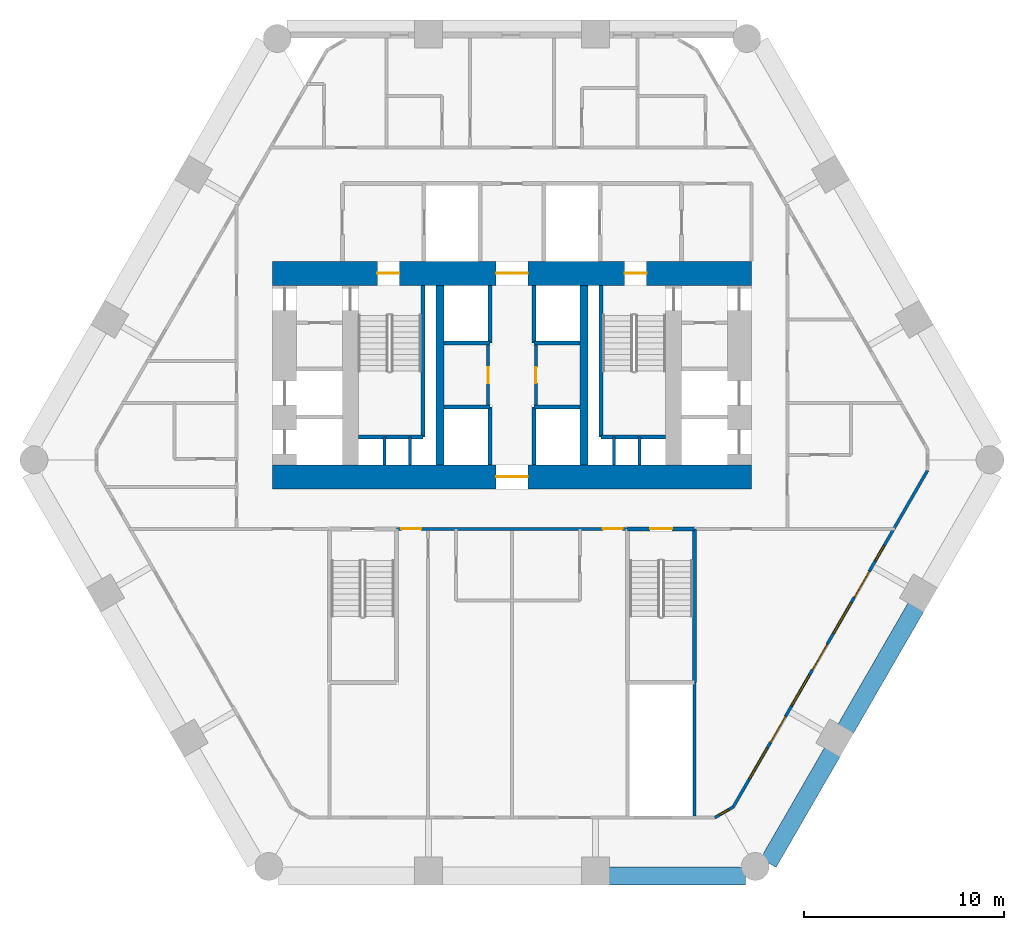
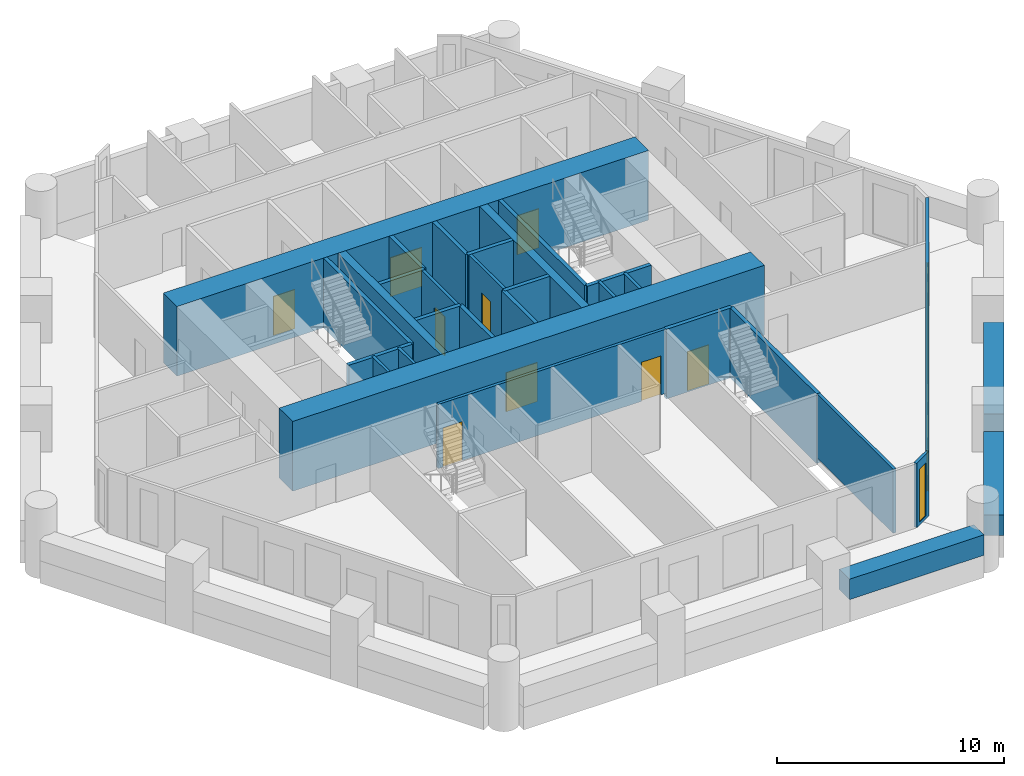
# One storey, part 4 of 8: 31 walls, 12 doors, 5 windows, 17 openings.
"""IFC4 building model written with IfcOpenShell, lengths in metres."""

from ifc_helpers import new_model, si_unit, direction, frame, frame_2d, origin, place, context, subcontext, project, spatial, rectangle, extrude, material, layer, layer_set, type_object, element, fill, save


model = new_model("IFC4")

# Units and contexts
model_context = context("Model", 3, precision=1e-05, world=origin(), true_north=direction((0.0, 1.0)))
body_context = subcontext(model_context, "Body", "Model", "MODEL_VIEW")
ifc_project = project(units=[si_unit("LENGTHUNIT", "METRE"), si_unit("AREAUNIT", "SQUARE_METRE"), si_unit("VOLUMEUNIT", "CUBIC_METRE"), si_unit("PLANEANGLEUNIT", "RADIAN"), si_unit("MASSUNIT", "GRAM", prefix="KILO")], contexts=[model_context])

# Site, building, storey
site_placement = place(None, origin())
site = spatial("IfcSite", under=ifc_project, at=site_placement, CompositionType="ELEMENT")
building_placement = place(site_placement, origin())
building = spatial("IfcBuilding", under=site, at=building_placement, Name="Ostrander Bayou Hotel Tower", CompositionType="ELEMENT")
storey_placement = place(building_placement, frame((0.0, 0.0, 39.25)))
storey = spatial("IfcBuildingStorey", under=building, at=storey_placement, Name="L09", CompositionType="ELEMENT", Elevation=39.25)

# Wall, opening, door
ifc_material_1 = material(Name="Concrete f'c 70 MPa", Category="concrete")
ifc_layer_1 = layer(ifc_material_1, 1.199951171875)
ifc_layer_set_1 = layer_set([ifc_layer_1], Name="CW1 core wall 1200 mm f'c 70 MPa")
wall_type_1 = type_object("IfcWallType", Name="CW1 core wall 1200 mm f'c 70 MPa", PredefinedType="SHEAR", material=ifc_layer_set_1)
wall_1_placement = place(storey_placement, frame((-12.0, -1.10009765625, -0.300048828125), z_axis=(0.0, 0.0, 1.0), x_axis=(1.0, 0.0, 0.0)))
wall_1 = element("IfcWall", 1, at=wall_1_placement, inside=storey, type_object=wall_type_1, Name="CW1 L09 S", PredefinedType="SHEAR", context=body_context, shape_type="SweptSolid", body=[
    extrude(rectangle(XDim=24.0, YDim=1.199951171875, at=frame_2d((12.0, 0.0))), origin(), (0.0, 0.0, 1.0), 3.75),
])
opening_1_placement = place(wall_1_placement, frame((11.199951171875, 0.0, 0.0)))
opening_1 = element("IfcOpeningElement", 2, at=opening_1_placement, cuts=wall_1, Name="Opening T09-001", PredefinedType="OPENING", context=body_context, shape_type="SweptSolid", body=[
    extrude(rectangle(XDim=1.60009765625, YDim=2.10009765625, at=frame_2d((0.800048828125, 1.050048828125))), frame((0.0, 0.60009765625, 0.0), z_axis=(0.0, -1.0, 0.0), x_axis=(1.0, 0.0, 0.0)), (0.0, 0.0, 1.0), 1.199951171875),
])
ifc_material_2 = material(Name="Timber door leaf", Category="wood")
door_type_1 = type_object("IfcDoorType", Name="D13 double door 1600 x 2100 mm, 1 hour", OperationType="SINGLE_SWING_LEFT", PredefinedType="DOOR", material=ifc_material_2)
door_1_placement = place(opening_1_placement, origin())
door_1 = element("IfcDoor", 3, at=door_1_placement, inside=storey, type_object=door_type_1, Name="dr:L09:001", OperationType="DOUBLE_DOOR_SINGLE_SWING", OverallHeight=2.10009765625, OverallWidth=1.60009765625, PredefinedType="DOOR", context=body_context, shape_type="SweptSolid", body=[
    extrude(rectangle(XDim=1.60009765625, YDim=2.10009765625, at=frame_2d((0.800048828125, 1.050048828125))), frame((0.0, 0.02490234375, 0.0), z_axis=(0.0, -1.0, 0.0), x_axis=(1.0, 0.0, 0.0)), (0.0, 0.0, 1.0), 0.050048828125),
])
fill(opening_1, door_1)

# Wall, openings, doors
wall_2_placement = place(storey_placement, frame((-12.0, 9.10009765625, -0.300048828125), z_axis=(0.0, 0.0, 1.0), x_axis=(1.0, 0.0, 0.0)))
wall_2 = element("IfcWall", 4, at=wall_2_placement, inside=storey, type_object=wall_type_1, Name="CW1 L09 N", PredefinedType="SHEAR", context=body_context, shape_type="SweptSolid", body=[
    extrude(rectangle(XDim=24.0, YDim=1.199951171875, at=frame_2d((12.0, 0.0))), origin(), (0.0, 0.0, 1.0), 3.75),
])
opening_2_placement = place(wall_2_placement, frame((11.199951171875, 0.0, 0.0)))
opening_2 = element("IfcOpeningElement", 5, at=opening_2_placement, cuts=wall_2, Name="Opening T09-002", PredefinedType="OPENING", context=body_context, shape_type="SweptSolid", body=[
    extrude(rectangle(XDim=1.60009765625, YDim=2.10009765625, at=frame_2d((0.800048828125, 1.050048828125))), frame((0.0, 0.60009765625, 0.0), z_axis=(0.0, -1.0, 0.0), x_axis=(1.0, 0.0, 0.0)), (0.0, 0.0, 1.0), 1.199951171875),
])
opening_3_placement = place(wall_2_placement, frame((5.25, 0.0, 0.0)))
opening_3 = element("IfcOpeningElement", 6, at=opening_3_placement, cuts=wall_2, Name="Opening T09-003", PredefinedType="OPENING", context=body_context, shape_type="SweptSolid", body=[
    extrude(rectangle(XDim=1.10009765625, YDim=2.10009765625, at=frame_2d((0.550048828125, 1.050048828125))), frame((0.0, 0.60009765625, 0.0), z_axis=(0.0, -1.0, 0.0), x_axis=(1.0, 0.0, 0.0)), (0.0, 0.0, 1.0), 1.199951171875),
])
opening_4_placement = place(wall_2_placement, frame((17.64990234375, 0.0, 0.0)))
opening_4 = element("IfcOpeningElement", 7, at=opening_4_placement, cuts=wall_2, Name="Opening T09-005", PredefinedType="OPENING", context=body_context, shape_type="SweptSolid", body=[
    extrude(rectangle(XDim=1.10009765625, YDim=2.10009765625, at=frame_2d((0.550048828125, 1.050048828125))), frame((0.0, 0.60009765625, 0.0), z_axis=(0.0, -1.0, 0.0), x_axis=(1.0, 0.0, 0.0)), (0.0, 0.0, 1.0), 1.199951171875),
])
door_2_placement = place(opening_2_placement, origin())
door_2 = element("IfcDoor", 8, at=door_2_placement, inside=storey, type_object=door_type_1, Name="dr:L09:002", OperationType="DOUBLE_DOOR_SINGLE_SWING", OverallHeight=2.10009765625, OverallWidth=1.60009765625, PredefinedType="DOOR", context=body_context, shape_type="SweptSolid", body=[
    extrude(rectangle(XDim=1.60009765625, YDim=2.10009765625, at=frame_2d((0.800048828125, 1.050048828125))), frame((0.0, 0.02490234375, 0.0), z_axis=(0.0, -1.0, 0.0), x_axis=(1.0, 0.0, 0.0)), (0.0, 0.0, 1.0), 0.050048828125),
])
fill(opening_2, door_2)
ifc_material_3 = material(Name="Timber door leaf", Category="wood")
door_type_2 = type_object("IfcDoorType", Name="D5 stair door 1100 x 2100 mm, 90 minute", OperationType="SINGLE_SWING_LEFT", PredefinedType="DOOR", material=ifc_material_3)
door_3_placement = place(opening_3_placement, origin())
door_3 = element("IfcDoor", 9, at=door_3_placement, inside=storey, type_object=door_type_2, Name="dr:L09:003", OperationType="SINGLE_SWING_LEFT", OverallHeight=2.10009765625, OverallWidth=1.10009765625, PredefinedType="DOOR", context=body_context, shape_type="SweptSolid", body=[
    extrude(rectangle(XDim=1.10009765625, YDim=2.10009765625, at=frame_2d((0.550048828125, 1.050048828125))), frame((0.0, 0.02490234375, 0.0), z_axis=(0.0, -1.0, 0.0), x_axis=(1.0, 0.0, 0.0)), (0.0, 0.0, 1.0), 0.050048828125),
])
fill(opening_3, door_3)
door_4_placement = place(opening_4_placement, origin())
door_4 = element("IfcDoor", 10, at=door_4_placement, inside=storey, type_object=door_type_2, Name="dr:L09:005", OperationType="SINGLE_SWING_RIGHT", OverallHeight=2.10009765625, OverallWidth=1.10009765625, PredefinedType="DOOR", context=body_context, shape_type="SweptSolid", body=[
    extrude(rectangle(XDim=1.10009765625, YDim=2.10009765625, at=frame_2d((0.550048828125, 1.050048828125))), frame((0.0, 0.02490234375, 0.0), z_axis=(0.0, -1.0, 0.0), x_axis=(1.0, 0.0, 0.0)), (0.0, 0.0, 1.0), 0.050048828125),
])
fill(opening_4, door_4)

# Walls
ifc_material_4 = material(Name="Concrete f'c 70 MPa", Category="concrete")
ifc_layer_2 = layer(ifc_material_4, 0.39990234375)
ifc_layer_set_2 = layer_set([ifc_layer_2], Name="CW3 core bank wall 400 mm f'c 70 MPa")
wall_type_2 = type_object("IfcWallType", Name="CW3 core bank wall 400 mm f'c 70 MPa", PredefinedType="SHEAR", material=ifc_layer_set_2)
for number, where, z_axis, x_axis, name in (
    (11, (-3.60009765625, -0.5, -0.300048828125), (0.0, 0.0, 1.0), (0.0, 1.0, 0.0), "CW3 L09 CW"),
    (12, (3.60009765625, -0.5, -0.300048828125), (0.0, 0.0, 1.0), (0.0, 1.0, 0.0), "CW3 L09 CE"),
):
    element("IfcWall", number, at=place(storey_placement, frame(where, z_axis=z_axis, x_axis=x_axis)), inside=storey, type_object=wall_type_2, Name=name, PredefinedType="SHEAR", context=body_context, shape_type="SweptSolid", body=[
        extrude(rectangle(XDim=9.0, YDim=0.39990234375, at=frame_2d((4.5, 0.0))), origin(), (0.0, 0.0, 1.0), 3.75),
    ])

# Wall, openings, doors, windows
ifc_material_5 = material(Name="Aluminium framed insulated wall", Category="aluminium")
ifc_layer_3 = layer(ifc_material_5, 0.14990234375)
ifc_layer_set_3 = layer_set([ifc_layer_3], Name="GW1 glass-line wall 150 mm")
wall_type_3 = type_object("IfcWallType", Name="GW1 glass-line wall 150 mm", PredefinedType="SOLIDWALL", material=ifc_layer_set_3)
wall_3_placement = place(storey_placement, frame((11.0869140625, -17.64697265625, 0.0), z_axis=(0.0, 0.0, 1.0), x_axis=(0.499999841607, 0.866025495233, 0.0)))
wall_3 = element("IfcWall", 13, at=wall_3_placement, inside=storey, type_object=wall_type_3, Name="GW1 L09 SE 1", PredefinedType="SOLIDWALL", context=body_context, shape_type="SweptSolid", body=[
    extrude(rectangle(XDim=19.478515625, YDim=0.14990234375, at=frame_2d((9.7392578125, 0.0))), origin(), (0.0, 0.0, 1.0), 3.449951171875),
])
opening_5_placement = place(wall_3_placement, frame((1.639404296875, 0.0, 0.14990234375)))
opening_5 = element("IfcOpeningElement", 14, at=opening_5_placement, cuts=wall_3, Name="Opening W1", PredefinedType="OPENING", context=body_context, shape_type="SweptSolid", body=[
    extrude(rectangle(XDim=1.800048828125, YDim=2.85009765625, at=frame_2d((0.89990234375, 1.425048828125))), frame((0.0, 0.074951171875, 0.0), z_axis=(0.0, -1.0, 0.0), x_axis=(1.0, 0.0, 0.0)), (0.0, 0.0, 1.0), 0.14990234375),
])
opening_6_placement = place(wall_3_placement, frame((3.7392578125, 0.0, 0.0)))
opening_6 = element("IfcOpeningElement", 15, at=opening_6_placement, cuts=wall_3, Name="Opening T09-805", PredefinedType="OPENING", context=body_context, shape_type="SweptSolid", body=[
    extrude(rectangle(XDim=1.5, YDim=2.39990234375, at=frame_2d((0.75, 1.199951171875))), frame((0.0, 0.074951171875, 0.0), z_axis=(0.0, -1.0, 0.0), x_axis=(1.0, 0.0, 0.0)), (0.0, 0.0, 1.0), 0.14990234375),
])
opening_7_placement = place(wall_3_placement, frame((5.83935546875, 0.0, 0.14990234375)))
opening_7 = element("IfcOpeningElement", 16, at=opening_7_placement, cuts=wall_3, Name="Opening W1", PredefinedType="OPENING", context=body_context, shape_type="SweptSolid", body=[
    extrude(rectangle(XDim=1.800048828125, YDim=2.85009765625, at=frame_2d((0.89990234375, 1.425048828125))), frame((0.0, 0.074951171875, 0.0), z_axis=(0.0, -1.0, 0.0), x_axis=(1.0, 0.0, 0.0)), (0.0, 0.0, 1.0), 0.14990234375),
])
opening_8_placement = place(wall_3_placement, frame((7.939208984375, 0.0, 0.0)))
opening_8 = element("IfcOpeningElement", 17, at=opening_8_placement, cuts=wall_3, Name="Opening T09-806", PredefinedType="OPENING", context=body_context, shape_type="SweptSolid", body=[
    extrude(rectangle(XDim=1.5, YDim=2.39990234375, at=frame_2d((0.75, 1.199951171875))), frame((0.0, 0.074951171875, 0.0), z_axis=(0.0, -1.0, 0.0), x_axis=(1.0, 0.0, 0.0)), (0.0, 0.0, 1.0), 0.14990234375),
])
opening_9_placement = place(wall_3_placement, frame((10.039306640625, 0.0, 0.14990234375)))
opening_9 = element("IfcOpeningElement", 18, at=opening_9_placement, cuts=wall_3, Name="Opening W1", PredefinedType="OPENING", context=body_context, shape_type="SweptSolid", body=[
    extrude(rectangle(XDim=1.800048828125, YDim=2.85009765625, at=frame_2d((0.89990234375, 1.425048828125))), frame((0.0, 0.074951171875, 0.0), z_axis=(0.0, -1.0, 0.0), x_axis=(1.0, 0.0, 0.0)), (0.0, 0.0, 1.0), 0.14990234375),
])
opening_10_placement = place(wall_3_placement, frame((12.139404296875, 0.0, 0.0)))
opening_10 = element("IfcOpeningElement", 19, at=opening_10_placement, cuts=wall_3, Name="Opening T09-807", PredefinedType="OPENING", context=body_context, shape_type="SweptSolid", body=[
    extrude(rectangle(XDim=1.5, YDim=2.39990234375, at=frame_2d((0.75, 1.199951171875))), frame((0.0, 0.074951171875, 0.0), z_axis=(0.0, -1.0, 0.0), x_axis=(1.0, 0.0, 0.0)), (0.0, 0.0, 1.0), 0.14990234375),
])
opening_11_placement = place(wall_3_placement, frame((14.2392578125, 0.0, 0.14990234375)))
opening_11 = element("IfcOpeningElement", 20, at=opening_11_placement, cuts=wall_3, Name="Opening W15", PredefinedType="OPENING", context=body_context, shape_type="SweptSolid", body=[
    extrude(rectangle(XDim=0.89990234375, YDim=2.85009765625, at=frame_2d((0.449951171875, 1.425048828125))), frame((0.0, 0.074951171875, 0.0), z_axis=(0.0, -1.0, 0.0), x_axis=(1.0, 0.0, 0.0)), (0.0, 0.0, 1.0), 0.14990234375),
])
ifc_material_6 = material(Name="Aluminium and clear glass", Category="aluminium")
door_type_3 = type_object("IfcDoorType", Name="SD1 sliding glass door 1500 mm, zone 1", OperationType="SLIDING_TO_LEFT", PredefinedType="DOOR", material=ifc_material_6)
door_5_placement = place(opening_6_placement, origin())
door_5 = element("IfcDoor", 21, at=door_5_placement, inside=storey, type_object=door_type_3, Name="SD1 L09 SE 1", OperationType="SLIDING_TO_LEFT", OverallHeight=2.39990234375, OverallWidth=1.5, PredefinedType="DOOR", context=body_context, shape_type="SweptSolid", body=[
    extrude(rectangle(XDim=1.5, YDim=2.39990234375, at=frame_2d((0.75, 1.199951171875))), frame((0.0, 0.02490234375, 0.0), z_axis=(0.0, -1.0, 0.0), x_axis=(1.0, 0.0, 0.0)), (0.0, 0.0, 1.0), 0.050048828125),
])
fill(opening_6, door_5)
door_6_placement = place(opening_8_placement, origin())
door_6 = element("IfcDoor", 22, at=door_6_placement, inside=storey, type_object=door_type_3, Name="SD1 L09 SE 2", OperationType="SLIDING_TO_RIGHT", OverallHeight=2.39990234375, OverallWidth=1.5, PredefinedType="DOOR", context=body_context, shape_type="SweptSolid", body=[
    extrude(rectangle(XDim=1.5, YDim=2.39990234375, at=frame_2d((0.75, 1.199951171875))), frame((0.0, 0.02490234375, 0.0), z_axis=(0.0, -1.0, 0.0), x_axis=(1.0, 0.0, 0.0)), (0.0, 0.0, 1.0), 0.050048828125),
])
fill(opening_8, door_6)
door_7_placement = place(opening_10_placement, origin())
door_7 = element("IfcDoor", 23, at=door_7_placement, inside=storey, type_object=door_type_3, Name="SD1 L09 SE 3", OperationType="SLIDING_TO_LEFT", OverallHeight=2.39990234375, OverallWidth=1.5, PredefinedType="DOOR", context=body_context, shape_type="SweptSolid", body=[
    extrude(rectangle(XDim=1.5, YDim=2.39990234375, at=frame_2d((0.75, 1.199951171875))), frame((0.0, 0.02490234375, 0.0), z_axis=(0.0, -1.0, 0.0), x_axis=(1.0, 0.0, 0.0)), (0.0, 0.0, 1.0), 0.050048828125),
])
fill(opening_10, door_7)
ifc_material_7 = material(Name="Aluminium and clear glass", Category="aluminium")
window_type_1 = type_object("IfcWindowType", Name="W1 fixed window 1800 mm, zone 1", PartitioningType="SINGLE_PANEL", PredefinedType="WINDOW", material=ifc_material_7)
window_1_placement = place(opening_5_placement, origin())
window_1 = element("IfcWindow", 24, at=window_1_placement, inside=storey, type_object=window_type_1, Name="W1 L09 SE 1", OverallHeight=2.85009765625, OverallWidth=1.800048828125, PartitioningType="SINGLE_PANEL", PredefinedType="WINDOW", context=body_context, shape_type="SweptSolid", body=[
    extrude(rectangle(XDim=1.800048828125, YDim=2.85009765625, at=frame_2d((0.89990234375, 1.425048828125))), frame((0.0, 0.030029296875, 0.0), z_axis=(0.0, -1.0, 0.0), x_axis=(1.0, 0.0, 0.0)), (0.0, 0.0, 1.0), 0.06005859375),
])
fill(opening_5, window_1)
window_2_placement = place(opening_7_placement, origin())
window_2 = element("IfcWindow", 25, at=window_2_placement, inside=storey, type_object=window_type_1, Name="W1 L09 SE 2", OverallHeight=2.85009765625, OverallWidth=1.800048828125, PartitioningType="SINGLE_PANEL", PredefinedType="WINDOW", context=body_context, shape_type="SweptSolid", body=[
    extrude(rectangle(XDim=1.800048828125, YDim=2.85009765625, at=frame_2d((0.89990234375, 1.425048828125))), frame((0.0, 0.030029296875, 0.0), z_axis=(0.0, -1.0, 0.0), x_axis=(1.0, 0.0, 0.0)), (0.0, 0.0, 1.0), 0.06005859375),
])
fill(opening_7, window_2)
window_3_placement = place(opening_9_placement, origin())
window_3 = element("IfcWindow", 26, at=window_3_placement, inside=storey, type_object=window_type_1, Name="W1 L09 SE 3", OverallHeight=2.85009765625, OverallWidth=1.800048828125, PartitioningType="SINGLE_PANEL", PredefinedType="WINDOW", context=body_context, shape_type="SweptSolid", body=[
    extrude(rectangle(XDim=1.800048828125, YDim=2.85009765625, at=frame_2d((0.89990234375, 1.425048828125))), frame((0.0, 0.030029296875, 0.0), z_axis=(0.0, -1.0, 0.0), x_axis=(1.0, 0.0, 0.0)), (0.0, 0.0, 1.0), 0.06005859375),
])
fill(opening_9, window_3)
ifc_material_8 = material(Name="Aluminium and clear glass", Category="aluminium")
window_type_2 = type_object("IfcWindowType", Name="W15 window 900 mm, zone 1", PartitioningType="SINGLE_PANEL", PredefinedType="WINDOW", material=ifc_material_8)
window_4_placement = place(opening_11_placement, origin())
window_4 = element("IfcWindow", 27, at=window_4_placement, inside=storey, type_object=window_type_2, Name="W15 L09 SE 4", OverallHeight=2.85009765625, OverallWidth=0.89990234375, PartitioningType="SINGLE_PANEL", PredefinedType="WINDOW", context=body_context, shape_type="SweptSolid", body=[
    extrude(rectangle(XDim=0.89990234375, YDim=2.85009765625, at=frame_2d((0.449951171875, 1.425048828125))), frame((0.0, 0.030029296875, 0.0), z_axis=(0.0, -1.0, 0.0), x_axis=(1.0, 0.0, 0.0)), (0.0, 0.0, 1.0), 0.06005859375),
])
fill(opening_11, window_4)

# Wall, opening, window
wall_4_placement = place(storey_placement, frame((10.16455078125, -18.179443359375, 0.0), z_axis=(0.0, 0.0, 1.0), x_axis=(0.866048165231, 0.499960573946, 0.0)))
wall_4 = element("IfcWall", 28, at=wall_4_placement, inside=storey, type_object=wall_type_3, Name="GW1 L09 corner 4", PredefinedType="SOLIDWALL", context=body_context, shape_type="SweptSolid", body=[
    extrude(rectangle(XDim=1.06494140625, YDim=0.14990234375, at=frame_2d((0.532470703125, 0.0))), origin(), (0.0, 0.0, 1.0), 3.449951171875),
])
opening_12_placement = place(wall_4_placement, frame((0.257568359375, 0.0, 0.14990234375)))
opening_12 = element("IfcOpeningElement", 29, at=opening_12_placement, cuts=wall_4, Name="Opening W19", PredefinedType="OPENING", context=body_context, shape_type="SweptSolid", body=[
    extrude(rectangle(XDim=0.550048828125, YDim=2.85009765625, at=frame_2d((0.27490234375, 1.425048828125))), frame((0.0, 0.074951171875, 0.0), z_axis=(0.0, -1.0, 0.0), x_axis=(1.0, 0.0, 0.0)), (0.0, 0.0, 1.0), 0.14990234375),
])
ifc_material_9 = material(Name="Aluminium and clear glass", Category="aluminium")
window_type_3 = type_object("IfcWindowType", Name="W19 corner window 550 mm", PartitioningType="SINGLE_PANEL", PredefinedType="WINDOW", material=ifc_material_9)
window_5_placement = place(opening_12_placement, origin())
window_5 = element("IfcWindow", 30, at=window_5_placement, inside=storey, type_object=window_type_3, Name="W19 L09 corner 4", OverallHeight=2.85009765625, OverallWidth=0.550048828125, PartitioningType="SINGLE_PANEL", PredefinedType="WINDOW", context=body_context, shape_type="SweptSolid", body=[
    extrude(rectangle(XDim=0.550048828125, YDim=2.85009765625, at=frame_2d((0.27490234375, 1.425048828125))), frame((0.0, 0.030029296875, 0.0), z_axis=(0.0, -1.0, 0.0), x_axis=(1.0, 0.0, 0.0)), (0.0, 0.0, 1.0), 0.06005859375),
])
fill(opening_12, window_5)

# Walls
ifc_material_10 = material(Name="Concrete f'c 40 MPa", Category="concrete")
ifc_layer_4 = layer(ifc_material_10, 0.89990234375)
ifc_layer_set_4 = layer_set([ifc_layer_4], Name="PA1 stone-faced parapet 900 mm")
wall_type_4 = type_object("IfcWallType", Name="PA1 stone-faced parapet 900 mm", PredefinedType="PARAPET", material=ifc_layer_set_4)
wall_5_placement = place(storey_placement, frame((4.865478515625, -21.1044921875, 0.0), z_axis=(0.0, 0.0, 1.0), x_axis=(1.0, 0.0, 0.0)))
element("IfcWall", 31, at=wall_5_placement, inside=storey, type_object=wall_type_4, Name="PA1 L09 S-3", PredefinedType="PARAPET", context=body_context, shape_type="SweptSolid", body=[
    extrude(rectangle(XDim=6.84521484375, YDim=0.89990234375, at=frame_2d((3.422607421875, 0.0))), origin(), (0.0, 0.0, 1.0), 1.10009765625),
])
ifc_material_11 = material(Name="Limestone masonry", Category="masonry")
ifc_layer_5 = layer(ifc_material_11, 0.89990234375)
ifc_layer_set_5 = layer_set([ifc_layer_5], Name="PA2 limestone parapet 900 mm")
wall_type_5 = type_object("IfcWallType", Name="PA2 limestone parapet 900 mm", PredefinedType="PARAPET", material=ifc_layer_set_5)
wall_6_placement = place(storey_placement, frame((12.846923828125, -20.448486328125, 0.0), z_axis=(0.0, 0.0, 1.0), x_axis=(0.500000066162, 0.866025365586, 0.0)))
element("IfcWall", 32, at=wall_6_placement, inside=storey, type_object=wall_type_5, Name="PA2 L09 SE-1", PredefinedType="PARAPET", context=body_context, shape_type="SweptSolid", body=[
    extrude(rectangle(XDim=6.419921875, YDim=0.89990234375, at=frame_2d((3.2099609375, 0.0))), origin(), (0.0, 0.0, 1.0), 1.10009765625),
])
wall_7_placement = place(storey_placement, frame((16.726806640625, -13.72802734375, 0.0), z_axis=(0.0, 0.0, 1.0), x_axis=(0.499997206141, 0.866027016814, 0.0)))
element("IfcWall", 33, at=wall_7_placement, inside=storey, type_object=wall_type_5, Name="PA2 L09 SE-2", PredefinedType="PARAPET", context=body_context, shape_type="SweptSolid", body=[
    extrude(rectangle(XDim=7.05078125, YDim=0.89990234375, at=frame_2d((3.525390625, 0.0))), origin(), (0.0, 0.0, 1.0), 1.10009765625),
])
ifc_material_12 = material(Name="Masonry block", Category="masonry")
ifc_layer_6 = layer(ifc_material_12, 0.199951171875)
ifc_layer_set_6 = layer_set([ifc_layer_6], Name="PT6 lift shaft wall 200 mm masonry, 2 hour")
wall_type_6 = type_object("IfcWallType", Name="PT6 lift shaft wall 200 mm masonry, 2 hour", PredefinedType="PARTITIONING", material=ifc_layer_set_6)
for number, where, z_axis, x_axis, name in (
    (34, (-3.39990234375, 2.39990234375, 0.0), (0.0, 0.0, 1.0), (1.0, 0.0, 0.0), "cs:L09:001"),
    (35, (-3.39990234375, 5.60009765625, 0.0), (0.0, 0.0, 1.0), (1.0, 0.0, 0.0), "cs:L09:002"),
    (36, (1.10009765625, 2.39990234375, 0.0), (0.0, 0.0, 1.0), (1.0, 0.0, 0.0), "cs:L09:003"),
    (37, (1.10009765625, 5.60009765625, 0.0), (0.0, 0.0, 1.0), (1.0, 0.0, 0.0), "cs:L09:004"),
):
    element("IfcWall", number, at=place(storey_placement, frame(where, z_axis=z_axis, x_axis=x_axis)), inside=storey, type_object=wall_type_6, Name=name, PredefinedType="PARTITIONING", context=body_context, shape_type="SweptSolid", body=[
        extrude(rectangle(XDim=2.2998046875, YDim=0.199951171875, at=frame_2d((1.14990234375, 0.0))), origin(), (0.0, 0.0, 1.0), 3.449951171875),
    ])
for number, where, z_axis, x_axis, name in (
    (38, (-1.10009765625, -0.5, 0.0), (0.0, 0.0, 1.0), (0.0, 1.0, 0.0), "cs:L09:005"),
    (39, (1.10009765625, -0.5, 0.0), (0.0, 0.0, 1.0), (0.0, 1.0, 0.0), "cs:L09:006"),
    (40, (-1.10009765625, 5.60009765625, 0.0), (0.0, 0.0, 1.0), (0.0, 1.0, 0.0), "cs:L09:007"),
    (41, (1.10009765625, 5.60009765625, 0.0), (0.0, 0.0, 1.0), (0.0, 1.0, 0.0), "cs:L09:008"),
):
    element("IfcWall", number, at=place(storey_placement, frame(where, z_axis=z_axis, x_axis=x_axis)), inside=storey, type_object=wall_type_6, Name=name, PredefinedType="PARTITIONING", context=body_context, shape_type="SweptSolid", body=[
        extrude(rectangle(XDim=2.89990234375, YDim=0.199951171875, at=frame_2d((1.449951171875, 0.0))), origin(), (0.0, 0.0, 1.0), 3.449951171875),
    ])
ifc_material_13 = material(Name="Gypsum board partition", Category="finish")
ifc_layer_7 = layer(ifc_material_13, 0.14990234375)
ifc_layer_set_7 = layer_set([ifc_layer_7], Name="PT7 riser wall 150 mm, 2 hour")
wall_type_7 = type_object("IfcWallType", Name="PT7 riser wall 150 mm, 2 hour", PredefinedType="PARTITIONING", material=ifc_layer_set_7)
for number, where, z_axis, x_axis, name in (
    (42, (-6.39990234375, -0.5, 0.0), (0.0, 0.0, 1.0), (0.0, 1.0, 0.0), "cs:L09:011"),
    (43, (-5.10009765625, -0.5, 0.0), (0.0, 0.0, 1.0), (0.0, 1.0, 0.0), "cs:L09:012"),
    (44, (5.10009765625, -0.5, 0.0), (0.0, 0.0, 1.0), (0.0, 1.0, 0.0), "cs:L09:015"),
    (45, (6.39990234375, -0.5, 0.0), (0.0, 0.0, 1.0), (0.0, 1.0, 0.0), "cs:L09:016"),
):
    element("IfcWall", number, at=place(storey_placement, frame(where, z_axis=z_axis, x_axis=x_axis)), inside=storey, type_object=wall_type_7, Name=name, PredefinedType="PARTITIONING", context=body_context, shape_type="SweptSolid", body=[
        extrude(rectangle(XDim=1.39990234375, YDim=0.14990234375, at=frame_2d((0.699951171875, 0.0))), origin(), (0.0, 0.0, 1.0), 3.449951171875),
    ])
wall_8_placement = place(storey_placement, frame((9.14990234375, -11.39990234375, 0.0), z_axis=(0.0, 0.0, 1.0), x_axis=(0.0, -1.0, 0.0)))
element("IfcWall", 46, at=wall_8_placement, inside=storey, type_object=wall_type_7, Name="cs:L09:022", PredefinedType="PARTITIONING", context=body_context, shape_type="SweptSolid", body=[
    extrude(rectangle(XDim=6.70458984375, YDim=0.14990234375, at=frame_2d((3.352294921875, 0.0))), origin(), (0.0, 0.0, 1.0), 3.449951171875),
])

# Wall, opening, door
wall_9_placement = place(storey_placement, frame((-1.199951171875, 2.5, 0.0), z_axis=(0.0, 0.0, 1.0), x_axis=(0.0, 1.0, 0.0)))
wall_9 = element("IfcWall", 47, at=wall_9_placement, inside=storey, type_object=wall_type_7, Name="cs:L09:034", PredefinedType="PARTITIONING", context=body_context, shape_type="SweptSolid", body=[
    extrude(rectangle(XDim=3.0, YDim=0.14990234375, at=frame_2d((1.5, 0.0))), origin(), (0.0, 0.0, 1.0), 3.449951171875),
])
opening_13_placement = place(wall_9_placement, frame((1.10009765625, 0.0, 0.0)))
opening_13 = element("IfcOpeningElement", 48, at=opening_13_placement, cuts=wall_9, Name="Opening T09-014", PredefinedType="OPENING", context=body_context, shape_type="SweptSolid", body=[
    extrude(rectangle(XDim=0.800048828125, YDim=2.10009765625, at=frame_2d((0.39990234375, 1.050048828125))), frame((0.0, 0.074951171875, 0.0), z_axis=(0.0, -1.0, 0.0), x_axis=(1.0, 0.0, 0.0)), (0.0, 0.0, 1.0), 0.14990234375),
])
ifc_material_14 = material(Name="Timber door leaf", Category="wood")
door_type_4 = type_object("IfcDoorType", Name="D6 riser door 800 x 2100 mm, 90 minute", OperationType="SINGLE_SWING_LEFT", PredefinedType="DOOR", material=ifc_material_14)
door_8_placement = place(opening_13_placement, origin())
door_8 = element("IfcDoor", 49, at=door_8_placement, inside=storey, type_object=door_type_4, Name="dr:L09:014", OperationType="SINGLE_SWING_LEFT", OverallHeight=2.10009765625, OverallWidth=0.800048828125, PredefinedType="DOOR", context=body_context, shape_type="SweptSolid", body=[
    extrude(rectangle(XDim=0.800048828125, YDim=2.10009765625, at=frame_2d((0.39990234375, 1.050048828125))), frame((0.0, 0.02490234375, 0.0), z_axis=(0.0, -1.0, 0.0), x_axis=(1.0, 0.0, 0.0)), (0.0, 0.0, 1.0), 0.050048828125),
])
fill(opening_13, door_8)

wall_10_placement = place(storey_placement, frame((1.199951171875, 2.5, 0.0), z_axis=(0.0, 0.0, 1.0), x_axis=(0.0, 1.0, 0.0)))
wall_10 = element("IfcWall", 50, at=wall_10_placement, inside=storey, type_object=wall_type_7, Name="cs:L09:035", PredefinedType="PARTITIONING", context=body_context, shape_type="SweptSolid", body=[
    extrude(rectangle(XDim=3.0, YDim=0.14990234375, at=frame_2d((1.5, 0.0))), origin(), (0.0, 0.0, 1.0), 3.449951171875),
])
opening_14_placement = place(wall_10_placement, frame((1.10009765625, 0.0, 0.0)))
opening_14 = element("IfcOpeningElement", 51, at=opening_14_placement, cuts=wall_10, Name="Opening T09-015", PredefinedType="OPENING", context=body_context, shape_type="SweptSolid", body=[
    extrude(rectangle(XDim=0.800048828125, YDim=2.10009765625, at=frame_2d((0.39990234375, 1.050048828125))), frame((0.0, 0.074951171875, 0.0), z_axis=(0.0, -1.0, 0.0), x_axis=(1.0, 0.0, 0.0)), (0.0, 0.0, 1.0), 0.14990234375),
])
door_9_placement = place(opening_14_placement, origin())
door_9 = element("IfcDoor", 52, at=door_9_placement, inside=storey, type_object=door_type_4, Name="dr:L09:015", OperationType="SINGLE_SWING_RIGHT", OverallHeight=2.10009765625, OverallWidth=0.800048828125, PredefinedType="DOOR", context=body_context, shape_type="SweptSolid", body=[
    extrude(rectangle(XDim=0.800048828125, YDim=2.10009765625, at=frame_2d((0.39990234375, 1.050048828125))), frame((0.0, 0.02490234375, 0.0), z_axis=(0.0, -1.0, 0.0), x_axis=(1.0, 0.0, 0.0)), (0.0, 0.0, 1.0), 0.050048828125),
])
fill(opening_14, door_9)

# Wall, openings, doors
ifc_material_15 = material(Name="Gypsum board partition", Category="finish")
ifc_layer_8 = layer(ifc_material_15, 0.14990234375)
ifc_layer_set_8 = layer_set([ifc_layer_8], Name="PT8 service band wall 150 mm, 1 hour")
wall_type_8 = type_object("IfcWallType", Name="PT8 service band wall 150 mm, 1 hour", PredefinedType="PARTITIONING", material=ifc_layer_set_8)
wall_11_placement = place(storey_placement, frame((-5.7900390625, -3.699951171875, 0.0), z_axis=(0.0, 0.0, 1.0), x_axis=(1.0, 0.0, 0.0)))
wall_11 = element("IfcWall", 53, at=wall_11_placement, inside=storey, type_object=wall_type_8, Name="gw:L09:003", PredefinedType="PARTITIONING", context=body_context, shape_type="SweptSolid", body=[
    extrude(rectangle(XDim=11.580078125, YDim=0.14990234375, at=frame_2d((5.7900390625, 0.0))), origin(), (0.0, 0.0, 1.0), 3.449951171875),
])
opening_15_placement = place(wall_11_placement, frame((0.239990234375, 0.0, 0.0)))
opening_15 = element("IfcOpeningElement", 54, at=opening_15_placement, cuts=wall_11, Name="Opening T09-400", PredefinedType="OPENING", context=body_context, shape_type="SweptSolid", body=[
    extrude(rectangle(XDim=1.0, YDim=2.10009765625, at=frame_2d((0.5, 1.050048828125))), frame((0.0, 0.074951171875, 0.0), z_axis=(0.0, -1.0, 0.0), x_axis=(1.0, 0.0, 0.0)), (0.0, 0.0, 1.0), 0.14990234375),
])
opening_16_placement = place(wall_11_placement, frame((10.340087890625, 0.0, 0.0)))
opening_16 = element("IfcOpeningElement", 55, at=opening_16_placement, cuts=wall_11, Name="Opening T09-404", PredefinedType="OPENING", context=body_context, shape_type="SweptSolid", body=[
    extrude(rectangle(XDim=1.0, YDim=2.10009765625, at=frame_2d((0.5, 1.050048828125))), frame((0.0, 0.074951171875, 0.0), z_axis=(0.0, -1.0, 0.0), x_axis=(1.0, 0.0, 0.0)), (0.0, 0.0, 1.0), 0.14990234375),
])
ifc_material_16 = material(Name="Timber door leaf", Category="wood")
door_type_5 = type_object("IfcDoorType", Name="D1 guest room door 1000 x 2100 mm, 30 minute", OperationType="SINGLE_SWING_LEFT", PredefinedType="DOOR", material=ifc_material_16)
door_10_placement = place(opening_15_placement, origin())
door_10 = element("IfcDoor", 56, at=door_10_placement, inside=storey, type_object=door_type_5, Name="dr:L09:400", OperationType="SINGLE_SWING_LEFT", OverallHeight=2.10009765625, OverallWidth=1.0, PredefinedType="DOOR", context=body_context, shape_type="SweptSolid", body=[
    extrude(rectangle(XDim=1.0, YDim=2.10009765625, at=frame_2d((0.5, 1.050048828125))), frame((0.0, 0.02490234375, 0.0), z_axis=(0.0, -1.0, 0.0), x_axis=(1.0, 0.0, 0.0)), (0.0, 0.0, 1.0), 0.050048828125),
])
fill(opening_15, door_10)
door_11_placement = place(opening_16_placement, origin())
door_11 = element("IfcDoor", 57, at=door_11_placement, inside=storey, type_object=door_type_5, Name="dr:L09:404", OperationType="SINGLE_SWING_RIGHT", OverallHeight=2.10009765625, OverallWidth=1.0, PredefinedType="DOOR", context=body_context, shape_type="SweptSolid", body=[
    extrude(rectangle(XDim=1.0, YDim=2.10009765625, at=frame_2d((0.5, 1.050048828125))), frame((0.0, 0.02490234375, 0.0), z_axis=(0.0, -1.0, 0.0), x_axis=(1.0, 0.0, 0.0)), (0.0, 0.0, 1.0), 0.050048828125),
])
fill(opening_16, door_11)

# Walls
ifc_material_17 = material(Name="Concrete f'c 45 MPa", Category="concrete")
ifc_layer_9 = layer(ifc_material_17, 0.199951171875)
ifc_layer_set_9 = layer_set([ifc_layer_9], Name="SW5 stair enclosure wall 200 mm f'c 45 MPa")
wall_type_9 = type_object("IfcWallType", Name="SW5 stair enclosure wall 200 mm f'c 45 MPa", PredefinedType="SOLIDWALL", material=ifc_layer_set_9)
wall_12_placement = place(storey_placement, frame((-4.449951171875, 0.89990234375, -0.300048828125), z_axis=(0.0, 0.0, 1.0), x_axis=(0.0, 1.0, 0.0)))
element("IfcWall", 58, at=wall_12_placement, inside=storey, type_object=wall_type_9, Name="cs:L09:009", PredefinedType="SOLIDWALL", context=body_context, shape_type="SweptSolid", body=[
    extrude(rectangle(XDim=7.60009765625, YDim=0.199951171875, at=frame_2d((3.800048828125, 0.0))), origin(), (0.0, 0.0, 1.0), 3.75),
])
wall_13_placement = place(storey_placement, frame((-7.699951171875, 0.89990234375, -0.300048828125), z_axis=(0.0, 0.0, 1.0), x_axis=(1.0, 0.0, 0.0)))
element("IfcWall", 59, at=wall_13_placement, inside=storey, type_object=wall_type_9, Name="cs:L09:010", PredefinedType="SOLIDWALL", context=body_context, shape_type="SweptSolid", body=[
    extrude(rectangle(XDim=3.25, YDim=0.199951171875, at=frame_2d((1.625, 0.0))), origin(), (0.0, 0.0, 1.0), 3.75),
])
wall_14_placement = place(storey_placement, frame((4.449951171875, 0.89990234375, -0.300048828125), z_axis=(0.0, 0.0, 1.0), x_axis=(0.0, 1.0, 0.0)))
element("IfcWall", 60, at=wall_14_placement, inside=storey, type_object=wall_type_9, Name="cs:L09:013", PredefinedType="SOLIDWALL", context=body_context, shape_type="SweptSolid", body=[
    extrude(rectangle(XDim=7.60009765625, YDim=0.199951171875, at=frame_2d((3.800048828125, 0.0))), origin(), (0.0, 0.0, 1.0), 3.75),
])
wall_15_placement = place(storey_placement, frame((4.449951171875, 0.89990234375, -0.300048828125), z_axis=(0.0, 0.0, 1.0), x_axis=(1.0, 0.0, 0.0)))
element("IfcWall", 61, at=wall_15_placement, inside=storey, type_object=wall_type_9, Name="cs:L09:014", PredefinedType="SOLIDWALL", context=body_context, shape_type="SweptSolid", body=[
    extrude(rectangle(XDim=3.25, YDim=0.199951171875, at=frame_2d((1.625, 0.0))), origin(), (0.0, 0.0, 1.0), 3.75),
])

# Wall, opening, door
wall_16_placement = place(storey_placement, frame((5.800048828125, -3.699951171875, -0.300048828125), z_axis=(0.0, 0.0, 1.0), x_axis=(1.0, 0.0, 0.0)))
wall_16 = element("IfcWall", 62, at=wall_16_placement, inside=storey, type_object=wall_type_9, Name="cs:L09:017", PredefinedType="SOLIDWALL", context=body_context, shape_type="SweptSolid", body=[
    extrude(rectangle(XDim=3.349853515625, YDim=0.199951171875, at=frame_2d((1.6748046875, 0.0))), origin(), (0.0, 0.0, 1.0), 3.75),
])
opening_17_placement = place(wall_16_placement, frame((1.125, 0.0, 0.0)))
opening_17 = element("IfcOpeningElement", 63, at=opening_17_placement, cuts=wall_16, Name="Opening T09-007", PredefinedType="OPENING", context=body_context, shape_type="SweptSolid", body=[
    extrude(rectangle(XDim=1.10009765625, YDim=2.10009765625, at=frame_2d((0.550048828125, 1.050048828125))), frame((0.0, 0.10009765625, 0.0), z_axis=(0.0, -1.0, 0.0), x_axis=(1.0, 0.0, 0.0)), (0.0, 0.0, 1.0), 0.199951171875),
])
door_12_placement = place(opening_17_placement, origin())
door_12 = element("IfcDoor", 64, at=door_12_placement, inside=storey, type_object=door_type_2, Name="dr:L09:007", OperationType="SINGLE_SWING_LEFT", OverallHeight=2.10009765625, OverallWidth=1.10009765625, PredefinedType="DOOR", context=body_context, shape_type="SweptSolid", body=[
    extrude(rectangle(XDim=1.10009765625, YDim=2.10009765625, at=frame_2d((0.550048828125, 1.050048828125))), frame((0.0, 0.02490234375, 0.0), z_axis=(0.0, -1.0, 0.0), x_axis=(1.0, 0.0, 0.0)), (0.0, 0.0, 1.0), 0.050048828125),
])
fill(opening_17, door_12)

# Wall
wall_17_placement = place(storey_placement, frame((9.14990234375, -3.699951171875, -0.300048828125), z_axis=(0.0, 0.0, 1.0), x_axis=(0.0, -1.0, 0.0)))
element("IfcWall", 65, at=wall_17_placement, inside=storey, type_object=wall_type_9, Name="cs:L09:019", PredefinedType="SOLIDWALL", context=body_context, shape_type="SweptSolid", body=[
    extrude(rectangle(XDim=7.699951171875, YDim=0.199951171875, at=frame_2d((3.85009765625, 0.0))), origin(), (0.0, 0.0, 1.0), 3.75),
])

save(model, "model.ifc")
